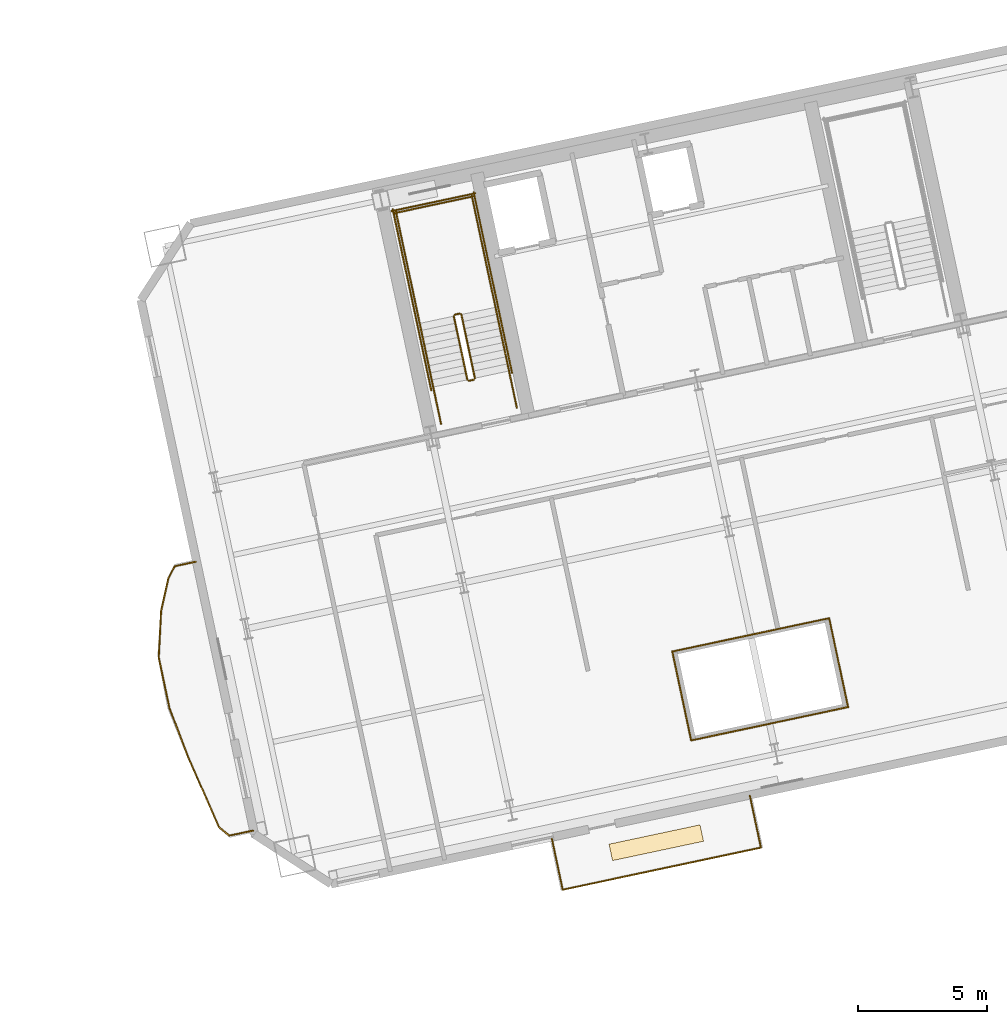
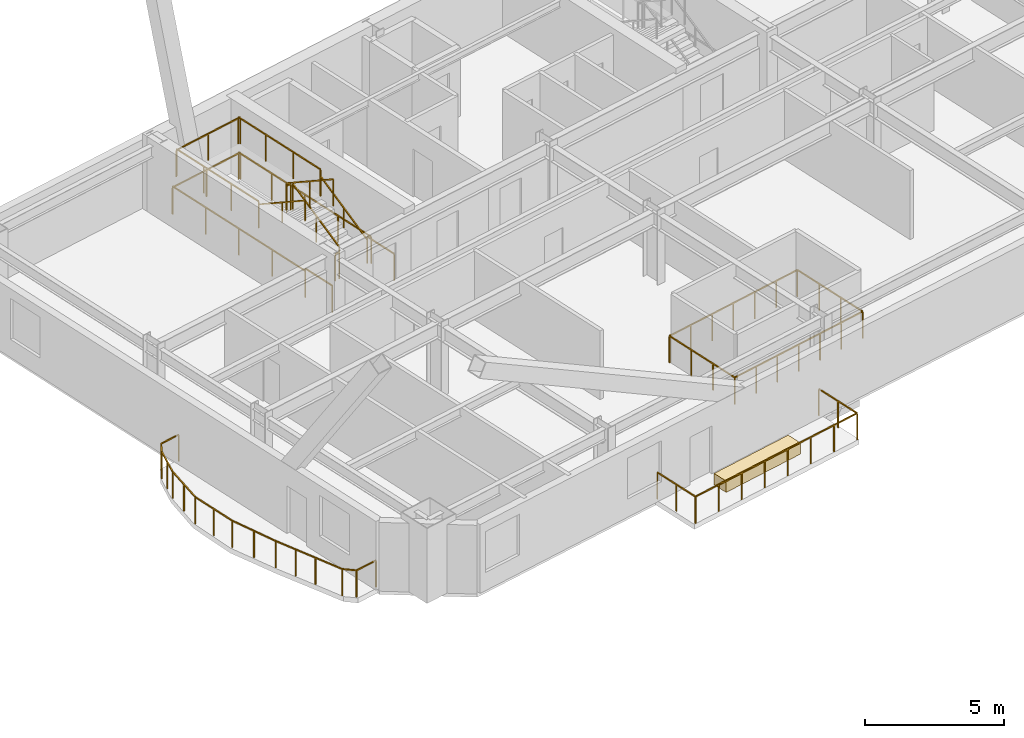
# One storey, part 14 of 15: 31 railings, 1 covering.
"""IFC4 building model written with IfcOpenShell, lengths in metres."""

from ifc_helpers import new_model, si_unit, direction, frame, origin, origin_2d, place, context, subcontext, project, spatial, rectangle, extrude, material, layer, layer_set, type_object, element, save


model = new_model("IFC4")

# Units and contexts
model_context = context("Model", 3, precision=1e-05, world=origin(), true_north=direction((0.0, 1.0)))
body_context = subcontext(model_context, "Body", "Model", "MODEL_VIEW")
ifc_project = project(units=[si_unit("LENGTHUNIT", "METRE"), si_unit("AREAUNIT", "SQUARE_METRE"), si_unit("VOLUMEUNIT", "CUBIC_METRE"), si_unit("PLANEANGLEUNIT", "RADIAN"), si_unit("MASSUNIT", "GRAM", prefix="KILO")], contexts=[model_context])

# Site, building, storey
site_placement = place(None, origin())
site = spatial("IfcSite", under=ifc_project, at=site_placement, CompositionType="ELEMENT")
building_placement = place(site_placement, origin())
building = spatial("IfcBuilding", under=site, at=building_placement, Name="Haevon Station Towers", CompositionType="ELEMENT")
storey_placement = place(building_placement, frame((0.0, 0.0, 103.199951171875)))
storey = spatial("IfcBuildingStorey", under=building, at=storey_placement, Name="L27", CompositionType="ELEMENT", Elevation=103.199951171875)

# Railings
ifc_material_1 = material(Name="Steel S355", Category="steel")
railing_type_1 = type_object("IfcRailingType", Name="BAL-ATR1200", PredefinedType="BALUSTRADE", material=ifc_material_1)
railing_1_placement = place(storey_placement, frame((108.81591796875, 25.668212890625, 0.0)))
element("IfcRailing", 1, at=railing_1_placement, inside=storey, type_object=railing_type_1, Name="L27 Atrium Void Balustrade 1", PredefinedType="BALUSTRADE", context=body_context, shape_type="SweptSolid", body=[
    extrude(rectangle(XDim=0.048095703125, YDim=0.048095703125, at=origin_2d()), frame((0.0, 0.0, 1.17578125), z_axis=(0.97814235822, 0.207936353378, 0.0), x_axis=(-0.207936353378, 0.97814235822, 0.0)), (0.0, 0.0, 1.0), 6.208740234375),
    extrude(rectangle(XDim=0.0419921875, YDim=0.0419921875, at=origin_2d()), origin(), (0.0, 0.0, 1.0), 1.15185546875),
    extrude(rectangle(XDim=0.0419921875, YDim=0.0419921875, at=origin_2d()), frame((1.01220703125, 0.215087890625, 0.0)), (0.0, 0.0, 1.0), 1.15185546875),
    extrude(rectangle(XDim=0.0419921875, YDim=0.0419921875, at=origin_2d()), frame((2.0244140625, 0.430419921875, 0.0)), (0.0, 0.0, 1.0), 1.15185546875),
    extrude(rectangle(XDim=0.0419921875, YDim=0.0419921875, at=origin_2d()), frame((3.03662109375, 0.6455078125, 0.0)), (0.0, 0.0, 1.0), 1.15185546875),
    extrude(rectangle(XDim=0.0419921875, YDim=0.0419921875, at=origin_2d()), frame((4.048583984375, 0.860595703125, 0.0)), (0.0, 0.0, 1.0), 1.15185546875),
    extrude(rectangle(XDim=0.0419921875, YDim=0.0419921875, at=origin_2d()), frame((5.060791015625, 1.075927734375, 0.0)), (0.0, 0.0, 1.0), 1.15185546875),
    extrude(rectangle(XDim=0.0419921875, YDim=0.0419921875, at=origin_2d()), frame((6.072998046875, 1.291015625, 0.0)), (0.0, 0.0, 1.0), 1.15185546875),
])
railing_2_placement = place(storey_placement, frame((114.888916015625, 26.959228515625, 0.0)))
element("IfcRailing", 2, at=railing_2_placement, inside=storey, type_object=railing_type_1, Name="L27 Atrium Void Balustrade 2", PredefinedType="BALUSTRADE", context=body_context, shape_type="SweptSolid", body=[
    extrude(rectangle(XDim=0.048095703125, YDim=0.048095703125, at=origin_2d()), frame((0.0, 0.0, 1.17578125), z_axis=(-0.207898592019, 0.978150384878, 0.0), x_axis=(-0.978150384878, -0.207898592019, 0.0)), (0.0, 0.0, 1.0), 3.518310546875),
    extrude(rectangle(XDim=0.0419921875, YDim=0.0419921875, at=origin_2d()), origin(), (0.0, 0.0, 1.0), 1.15185546875),
    extrude(rectangle(XDim=0.0419921875, YDim=0.0419921875, at=origin_2d()), frame((-0.243896484375, 1.147216796875, 0.0)), (0.0, 0.0, 1.0), 1.15185546875),
    extrude(rectangle(XDim=0.0419921875, YDim=0.0419921875, at=origin_2d()), frame((-0.487548828125, 2.294189453125, 0.0)), (0.0, 0.0, 1.0), 1.15185546875),
    extrude(rectangle(XDim=0.0419921875, YDim=0.0419921875, at=origin_2d()), frame((-0.7314453125, 3.44140625, 0.0)), (0.0, 0.0, 1.0), 1.15185546875),
])
railing_3_placement = place(storey_placement, frame((114.157470703125, 30.400634765625, 0.0)))
element("IfcRailing", 3, at=railing_3_placement, inside=storey, type_object=railing_type_1, Name="L27 Atrium Void Balustrade 3", PredefinedType="BALUSTRADE", context=body_context, shape_type="SweptSolid", body=[
    extrude(rectangle(XDim=0.048095703125, YDim=0.048095703125, at=origin_2d()), frame((0.0, 0.0, 1.17578125), z_axis=(-0.978144058321, -0.207928355861, 0.0), x_axis=(0.207928355861, -0.978144058321, 0.0)), (0.0, 0.0, 1.0), 6.208984375),
    extrude(rectangle(XDim=0.0419921875, YDim=0.0419921875, at=origin_2d()), origin(), (0.0, 0.0, 1.0), 1.15185546875),
    extrude(rectangle(XDim=0.0419921875, YDim=0.0419921875, at=origin_2d()), frame((-1.01220703125, -0.215087890625, 0.0)), (0.0, 0.0, 1.0), 1.15185546875),
    extrude(rectangle(XDim=0.0419921875, YDim=0.0419921875, at=origin_2d()), frame((-2.0244140625, -0.430419921875, 0.0)), (0.0, 0.0, 1.0), 1.15185546875),
    extrude(rectangle(XDim=0.0419921875, YDim=0.0419921875, at=origin_2d()), frame((-3.03662109375, -0.6455078125, 0.0)), (0.0, 0.0, 1.0), 1.15185546875),
    extrude(rectangle(XDim=0.0419921875, YDim=0.0419921875, at=origin_2d()), frame((-4.048828125, -0.860595703125, 0.0)), (0.0, 0.0, 1.0), 1.15185546875),
    extrude(rectangle(XDim=0.0419921875, YDim=0.0419921875, at=origin_2d()), frame((-5.06103515625, -1.075927734375, 0.0)), (0.0, 0.0, 1.0), 1.15185546875),
    extrude(rectangle(XDim=0.0419921875, YDim=0.0419921875, at=origin_2d()), frame((-6.0732421875, -1.291015625, 0.0)), (0.0, 0.0, 1.0), 1.15185546875),
])
railing_4_placement = place(storey_placement, frame((108.084228515625, 29.109619140625, 0.0)))
element("IfcRailing", 4, at=railing_4_placement, inside=storey, type_object=railing_type_1, Name="L27 Atrium Void Balustrade 4", PredefinedType="BALUSTRADE", context=body_context, shape_type="SweptSolid", body=[
    extrude(rectangle(XDim=0.048095703125, YDim=0.048095703125, at=origin_2d()), frame((0.0, 0.0, 1.17578125), z_axis=(0.207964983384, -0.978136271532, 0.0), x_axis=(0.978136271532, 0.207964983384, 0.0)), (0.0, 0.0, 1.0), 3.518310546875),
    extrude(rectangle(XDim=0.0419921875, YDim=0.0419921875, at=origin_2d()), origin(), (0.0, 0.0, 1.0), 1.15185546875),
    extrude(rectangle(XDim=0.0419921875, YDim=0.0419921875, at=origin_2d()), frame((0.243896484375, -1.147216796875, 0.0)), (0.0, 0.0, 1.0), 1.15185546875),
    extrude(rectangle(XDim=0.0419921875, YDim=0.0419921875, at=origin_2d()), frame((0.48779296875, -2.294189453125, 0.0)), (0.0, 0.0, 1.0), 1.15185546875),
    extrude(rectangle(XDim=0.0419921875, YDim=0.0419921875, at=origin_2d()), frame((0.731689453125, -3.44140625, 0.0)), (0.0, 0.0, 1.0), 1.15185546875),
])
railing_type_2 = type_object("IfcRailingType", Name="GRD-EXT1200", PredefinedType="GUARDRAIL", material=ifc_material_1)
railing_5_placement = place(storey_placement, frame((89.638916015625, 32.588623046875, 0.0)))
element("IfcRailing", 5, at=railing_5_placement, inside=storey, type_object=railing_type_2, Name="L27 Perimeter Guardrail 1", PredefinedType="GUARDRAIL", context=body_context, shape_type="SweptSolid", body=[
    extrude(rectangle(XDim=0.048095703125, YDim=0.048095703125, at=origin_2d()), frame((0.0, 0.0, 1.17578125), z_axis=(-0.977678572445, -0.210106185017, 0.0), x_axis=(0.210106185017, -0.977678572445, 0.0)), (0.0, 0.0, 1.0), 0.837890625),
    extrude(rectangle(XDim=0.0419921875, YDim=0.0419921875, at=origin_2d()), origin(), (0.0, 0.0, 1.0), 1.15185546875),
    extrude(rectangle(XDim=0.0419921875, YDim=0.0419921875, at=origin_2d()), frame((-0.819091796875, -0.176025390625, 0.0)), (0.0, 0.0, 1.0), 1.15185546875),
])
railing_6_placement = place(storey_placement, frame((88.81982421875, 32.41259765625, 0.0)))
element("IfcRailing", 6, at=railing_6_placement, inside=storey, type_object=railing_type_2, Name="L27 Perimeter Guardrail 2", PredefinedType="GUARDRAIL", context=body_context, shape_type="SweptSolid", body=[
    extrude(rectangle(XDim=0.048095703125, YDim=0.048095703125, at=origin_2d()), frame((0.0, 0.0, 1.17578125), z_axis=(-0.466272852296, -0.884640959493, 0.0), x_axis=(0.884640959493, -0.466272852296, 0.0)), (0.0, 0.0, 1.0), 0.53515625),
    extrude(rectangle(XDim=0.0419921875, YDim=0.0419921875, at=origin_2d()), origin(), (0.0, 0.0, 1.0), 1.15185546875),
    extrude(rectangle(XDim=0.0419921875, YDim=0.0419921875, at=origin_2d()), frame((-0.24951171875, -0.473388671875, 0.0)), (0.0, 0.0, 1.0), 1.15185546875),
])
railing_7_placement = place(storey_placement, frame((88.5703125, 31.939208984375, 0.0)))
element("IfcRailing", 7, at=railing_7_placement, inside=storey, type_object=railing_type_2, Name="L27 Perimeter Guardrail 3", PredefinedType="GUARDRAIL", context=body_context, shape_type="SweptSolid", body=[
    extrude(rectangle(XDim=0.048095703125, YDim=0.048095703125, at=origin_2d()), frame((0.0, 0.0, 1.17578125), z_axis=(-0.217493077112, -0.976061863515, 0.0), x_axis=(0.976061863515, -0.217493077112, 0.0)), (0.0, 0.0, 1.0), 1.286376953125),
    extrude(rectangle(XDim=0.0419921875, YDim=0.0419921875, at=origin_2d()), origin(), (0.0, 0.0, 1.0), 1.15185546875),
    extrude(rectangle(XDim=0.0419921875, YDim=0.0419921875, at=origin_2d()), frame((-0.139892578125, -0.6279296875, 0.0)), (0.0, 0.0, 1.0), 1.15185546875),
    extrude(rectangle(XDim=0.0419921875, YDim=0.0419921875, at=origin_2d()), frame((-0.27978515625, -1.255615234375, 0.0)), (0.0, 0.0, 1.0), 1.15185546875),
])
railing_8_placement = place(storey_placement, frame((88.29052734375, 30.68359375, 0.0)))
element("IfcRailing", 8, at=railing_8_placement, inside=storey, type_object=railing_type_2, Name="L27 Perimeter Guardrail 4", PredefinedType="GUARDRAIL", context=body_context, shape_type="SweptSolid", body=[
    extrude(rectangle(XDim=0.048095703125, YDim=0.048095703125, at=origin_2d()), frame((0.0, 0.0, 1.17578125), z_axis=(-0.050564718306, -0.998720786438, 0.0), x_axis=(0.998720786438, -0.050564718306, 0.0)), (0.0, 0.0, 1.0), 1.8056640625),
    extrude(rectangle(XDim=0.0419921875, YDim=0.0419921875, at=origin_2d()), origin(), (0.0, 0.0, 1.0), 1.15185546875),
    extrude(rectangle(XDim=0.0419921875, YDim=0.0419921875, at=origin_2d()), frame((-0.045654296875, -0.90185546875, 0.0)), (0.0, 0.0, 1.0), 1.15185546875),
    extrude(rectangle(XDim=0.0419921875, YDim=0.0419921875, at=origin_2d()), frame((-0.09130859375, -1.803466796875, 0.0)), (0.0, 0.0, 1.0), 1.15185546875),
])
railing_9_placement = place(storey_placement, frame((88.19921875, 28.880126953125, 0.0)))
element("IfcRailing", 9, at=railing_9_placement, inside=storey, type_object=railing_type_2, Name="L27 Perimeter Guardrail 5", PredefinedType="GUARDRAIL", context=body_context, shape_type="SweptSolid", body=[
    extrude(rectangle(XDim=0.048095703125, YDim=0.048095703125, at=origin_2d()), frame((0.0, 0.0, 1.17578125), z_axis=(0.207053251412, -0.978329674026, 0.0), x_axis=(0.978329674026, 0.207053251412, 0.0)), (0.0, 0.0, 1.0), 1.993896484375),
    extrude(rectangle(XDim=0.0419921875, YDim=0.0419921875, at=origin_2d()), origin(), (0.0, 0.0, 1.0), 1.15185546875),
    extrude(rectangle(XDim=0.0419921875, YDim=0.0419921875, at=origin_2d()), frame((0.20654296875, -0.975341796875, 0.0)), (0.0, 0.0, 1.0), 1.15185546875),
    extrude(rectangle(XDim=0.0419921875, YDim=0.0419921875, at=origin_2d()), frame((0.412841796875, -1.95068359375, 0.0)), (0.0, 0.0, 1.0), 1.15185546875),
])
railing_10_placement = place(storey_placement, frame((88.612060546875, 26.929443359375, 0.0)))
element("IfcRailing", 10, at=railing_10_placement, inside=storey, type_object=railing_type_2, Name="L27 Perimeter Guardrail 6", PredefinedType="GUARDRAIL", context=body_context, shape_type="SweptSolid", body=[
    extrude(rectangle(XDim=0.048095703125, YDim=0.048095703125, at=origin_2d()), frame((0.0, 0.0, 1.17578125), z_axis=(0.355410532133, -0.934710304666, 0.0), x_axis=(0.934710304666, 0.355410532133, 0.0)), (0.0, 0.0, 1.0), 2.01416015625),
    extrude(rectangle(XDim=0.0419921875, YDim=0.0419921875, at=origin_2d()), origin(), (0.0, 0.0, 1.0), 1.15185546875),
    extrude(rectangle(XDim=0.0419921875, YDim=0.0419921875, at=origin_2d()), frame((0.35791015625, -0.94140625, 0.0)), (0.0, 0.0, 1.0), 1.15185546875),
    extrude(rectangle(XDim=0.0419921875, YDim=0.0419921875, at=origin_2d()), frame((0.7158203125, -1.882568359375, 0.0)), (0.0, 0.0, 1.0), 1.15185546875),
])
railing_11_placement = place(storey_placement, frame((89.327880859375, 25.046875, 0.0)))
element("IfcRailing", 11, at=railing_11_placement, inside=storey, type_object=railing_type_2, Name="L27 Perimeter Guardrail 7", PredefinedType="GUARDRAIL", context=body_context, shape_type="SweptSolid", body=[
    extrude(rectangle(XDim=0.048095703125, YDim=0.048095703125, at=origin_2d()), frame((0.0, 0.0, 1.17578125), z_axis=(0.402646975362, -0.915355348065, 0.0), x_axis=(0.915355348065, 0.402646975362, 0.0)), (0.0, 0.0, 1.0), 1.78564453125),
    extrude(rectangle(XDim=0.0419921875, YDim=0.0419921875, at=origin_2d()), origin(), (0.0, 0.0, 1.0), 1.15185546875),
    extrude(rectangle(XDim=0.0419921875, YDim=0.0419921875, at=origin_2d()), frame((0.359375, -0.8173828125, 0.0)), (0.0, 0.0, 1.0), 1.15185546875),
    extrude(rectangle(XDim=0.0419921875, YDim=0.0419921875, at=origin_2d()), frame((0.718994140625, -1.634521484375, 0.0)), (0.0, 0.0, 1.0), 1.15185546875),
])
railing_12_placement = place(storey_placement, frame((90.046875, 23.412353515625, 0.0)))
element("IfcRailing", 12, at=railing_12_placement, inside=storey, type_object=railing_type_2, Name="L27 Perimeter Guardrail 8", PredefinedType="GUARDRAIL", context=body_context, shape_type="SweptSolid", body=[
    extrude(rectangle(XDim=0.048095703125, YDim=0.048095703125, at=origin_2d()), frame((0.0, 0.0, 1.17578125), z_axis=(0.401375961406, -0.915913389795, 0.0), x_axis=(0.915913389795, 0.401375961406, 0.0)), (0.0, 0.0, 1.0), 1.1953125),
    extrude(rectangle(XDim=0.0419921875, YDim=0.0419921875, at=origin_2d()), origin(), (0.0, 0.0, 1.0), 1.15185546875),
    extrude(rectangle(XDim=0.0419921875, YDim=0.0419921875, at=origin_2d()), frame((0.479736328125, -1.0947265625, 0.0)), (0.0, 0.0, 1.0), 1.15185546875),
])
railing_13_placement = place(storey_placement, frame((90.526611328125, 22.317626953125, 0.0)))
element("IfcRailing", 13, at=railing_13_placement, inside=storey, type_object=railing_type_2, Name="L27 Perimeter Guardrail 9", PredefinedType="GUARDRAIL", context=body_context, shape_type="SweptSolid", body=[
    extrude(rectangle(XDim=0.048095703125, YDim=0.048095703125, at=origin_2d()), frame((0.0, 0.0, 1.17578125), z_axis=(0.768565415334, -0.639771210943, 0.0), x_axis=(0.639771210943, 0.768565415334, 0.0)), (0.0, 0.0, 1.0), 0.523193359375),
    extrude(rectangle(XDim=0.0419921875, YDim=0.0419921875, at=origin_2d()), origin(), (0.0, 0.0, 1.0), 1.15185546875),
    extrude(rectangle(XDim=0.0419921875, YDim=0.0419921875, at=origin_2d()), frame((0.402099609375, -0.334716796875, 0.0)), (0.0, 0.0, 1.0), 1.15185546875),
])
railing_14_placement = place(storey_placement, frame((90.9287109375, 21.98291015625, 0.0)))
element("IfcRailing", 14, at=railing_14_placement, inside=storey, type_object=railing_type_2, Name="L27 Perimeter Guardrail 10", PredefinedType="GUARDRAIL", context=body_context, shape_type="SweptSolid", body=[
    extrude(rectangle(XDim=0.048095703125, YDim=0.048095703125, at=origin_2d()), frame((0.0, 0.0, 1.17578125), z_axis=(0.978612883571, 0.205710534754, 0.0), x_axis=(-0.205710534754, 0.978612883571, 0.0)), (0.0, 0.0, 1.0), 0.943603515625),
    extrude(rectangle(XDim=0.0419921875, YDim=0.0419921875, at=origin_2d()), origin(), (0.0, 0.0, 1.0), 1.15185546875),
    extrude(rectangle(XDim=0.0419921875, YDim=0.0419921875, at=origin_2d()), frame((0.92333984375, 0.194091796875, 0.0)), (0.0, 0.0, 1.0), 1.15185546875),
])
railing_15_placement = place(storey_placement, frame((103.8408203125, 19.886962890625, 0.0)))
element("IfcRailing", 15, at=railing_15_placement, inside=storey, type_object=railing_type_2, Name="L27 Perimeter Guardrail 1", PredefinedType="GUARDRAIL", context=body_context, shape_type="SweptSolid", body=[
    extrude(rectangle(XDim=0.048095703125, YDim=0.048095703125, at=origin_2d()), frame((0.0, 0.0, 1.17578125), z_axis=(0.978148093399, 0.207909372996, 0.0), x_axis=(-0.207909372996, 0.978148093399, 0.0)), (0.0, 0.0, 1.0), 7.84521484375),
    extrude(rectangle(XDim=0.0419921875, YDim=0.0419921875, at=origin_2d()), origin(), (0.0, 0.0, 1.0), 1.15185546875),
    extrude(rectangle(XDim=0.0419921875, YDim=0.0419921875, at=origin_2d()), frame((1.09619140625, 0.23291015625, 0.0)), (0.0, 0.0, 1.0), 1.15185546875),
    extrude(rectangle(XDim=0.0419921875, YDim=0.0419921875, at=origin_2d()), frame((2.192626953125, 0.466064453125, 0.0)), (0.0, 0.0, 1.0), 1.15185546875),
    extrude(rectangle(XDim=0.0419921875, YDim=0.0419921875, at=origin_2d()), frame((3.288818359375, 0.698974609375, 0.0)), (0.0, 0.0, 1.0), 1.15185546875),
    extrude(rectangle(XDim=0.0419921875, YDim=0.0419921875, at=origin_2d()), frame((4.385009765625, 0.93212890625, 0.0)), (0.0, 0.0, 1.0), 1.15185546875),
    extrude(rectangle(XDim=0.0419921875, YDim=0.0419921875, at=origin_2d()), frame((5.481201171875, 1.1650390625, 0.0)), (0.0, 0.0, 1.0), 1.15185546875),
    extrude(rectangle(XDim=0.0419921875, YDim=0.0419921875, at=origin_2d()), frame((6.57763671875, 1.398193359375, 0.0)), (0.0, 0.0, 1.0), 1.15185546875),
    extrude(rectangle(XDim=0.0419921875, YDim=0.0419921875, at=origin_2d()), frame((7.673828125, 1.631103515625, 0.0)), (0.0, 0.0, 1.0), 1.15185546875),
])
railing_16_placement = place(storey_placement, frame((111.5146484375, 21.51806640625, 0.0)))
element("IfcRailing", 16, at=railing_16_placement, inside=storey, type_object=railing_type_2, Name="L27 Perimeter Guardrail 2", PredefinedType="GUARDRAIL", context=body_context, shape_type="SweptSolid", body=[
    extrude(rectangle(XDim=0.048095703125, YDim=0.048095703125, at=origin_2d()), frame((0.0, 0.0, 1.17578125), z_axis=(-0.207848806692, 0.978160965055, 0.0), x_axis=(-0.978160965055, -0.207848806692, 0.0)), (0.0, 0.0, 1.0), 2.054443359375),
    extrude(rectangle(XDim=0.0419921875, YDim=0.0419921875, at=origin_2d()), origin(), (0.0, 0.0, 1.0), 1.15185546875),
    extrude(rectangle(XDim=0.0419921875, YDim=0.0419921875, at=origin_2d()), frame((-0.21337890625, 1.0048828125, 0.0)), (0.0, 0.0, 1.0), 1.15185546875),
    extrude(rectangle(XDim=0.0419921875, YDim=0.0419921875, at=origin_2d()), frame((-0.427001953125, 2.009521484375, 0.0)), (0.0, 0.0, 1.0), 1.15185546875),
])
railing_17_placement = place(storey_placement, frame((103.413818359375, 21.896484375, 0.0)))
element("IfcRailing", 17, at=railing_17_placement, inside=storey, type_object=railing_type_2, Name="L27 Perimeter Guardrail 3", PredefinedType="GUARDRAIL", context=body_context, shape_type="SweptSolid", body=[
    extrude(rectangle(XDim=0.048095703125, YDim=0.048095703125, at=origin_2d()), frame((0.0, 0.0, 1.17578125), z_axis=(0.207848806692, -0.978160965055, 0.0), x_axis=(0.978160965055, 0.207848806692, 0.0)), (0.0, 0.0, 1.0), 2.054443359375),
    extrude(rectangle(XDim=0.0419921875, YDim=0.0419921875, at=origin_2d()), origin(), (0.0, 0.0, 1.0), 1.15185546875),
    extrude(rectangle(XDim=0.0419921875, YDim=0.0419921875, at=origin_2d()), frame((0.21337890625, -1.0048828125, 0.0)), (0.0, 0.0, 1.0), 1.15185546875),
    extrude(rectangle(XDim=0.0419921875, YDim=0.0419921875, at=origin_2d()), frame((0.427001953125, -2.009521484375, 0.0)), (0.0, 0.0, 1.0), 1.15185546875),
])
railing_type_3 = type_object("IfcRailingType", Name="GRD-STR1200", PredefinedType="GUARDRAIL", material=ifc_material_1)
railing_18_placement = place(storey_placement, frame((100.44140625, 39.69287109375, 0.1650390625)))
element("IfcRailing", 18, at=railing_18_placement, inside=storey, type_object=railing_type_3, Name="L27 ST3 Stair Guard 1", PredefinedType="GUARDRAIL", context=body_context, shape_type="SweptSolid", body=[
    extrude(rectangle(XDim=0.048095703125, YDim=0.048095703125, at=origin_2d()), frame((0.0, 0.0, 1.17578125), z_axis=(-0.179121265225, 0.842687928106, 0.507732831485), x_axis=(-0.978147030254, -0.207914374695, 0.0)), (0.0, 0.0, 1.0), 2.925048828125),
    extrude(rectangle(XDim=0.0419921875, YDim=0.0419921875, at=origin_2d()), origin(), (0.0, 0.0, 1.0), 1.15185546875),
    extrude(rectangle(XDim=0.0419921875, YDim=0.0419921875, at=origin_2d()), frame((-0.261962890625, 1.232421875, 0.74267578125)), (0.0, 0.0, 1.0), 1.15185546875),
    extrude(rectangle(XDim=0.0419921875, YDim=0.0419921875, at=origin_2d()), frame((-0.52392578125, 2.46484375, 1.485107421875)), (0.0, 0.0, 1.0), 1.15185546875),
])
railing_19_placement = place(storey_placement, frame((99.858154296875, 42.1962890625, 1.650146484375)))
element("IfcRailing", 19, at=railing_19_placement, inside=storey, type_object=railing_type_3, Name="L27 ST3 Stair Guard 2", PredefinedType="GUARDRAIL", context=body_context, shape_type="SweptSolid", body=[
    extrude(rectangle(XDim=0.048095703125, YDim=0.048095703125, at=origin_2d()), frame((0.0, 0.0, 1.17578125), z_axis=(-0.977962931203, -0.208778603291, 0.0), x_axis=(0.208778603291, -0.977962931203, 0.0)), (0.0, 0.0, 1.0), 0.199951171875),
    extrude(rectangle(XDim=0.0419921875, YDim=0.0419921875, at=origin_2d()), origin(), (0.0, 0.0, 1.0), 1.15185546875),
    extrude(rectangle(XDim=0.0419921875, YDim=0.0419921875, at=origin_2d()), frame((-0.195556640625, -0.041748046875, 0.0)), (0.0, 0.0, 1.0), 1.15185546875),
])
railing_20_placement = place(storey_placement, frame((101.238037109375, 42.4384765625, 1.650146484375)))
element("IfcRailing", 20, at=railing_20_placement, inside=storey, type_object=railing_type_3, Name="L27 ST3 Stair Guard 3", PredefinedType="GUARDRAIL", context=body_context, shape_type="SweptSolid", body=[
    extrude(rectangle(XDim=0.048095703125, YDim=0.048095703125, at=origin_2d()), frame((0.0, 0.0, 1.17578125), z_axis=(-0.20794048909, 0.978141479029, 0.0), x_axis=(-0.978141479029, -0.20794048909, 0.0)), (0.0, 0.0, 1.0), 4.429931640625),
    extrude(rectangle(XDim=0.0419921875, YDim=0.0419921875, at=origin_2d()), origin(), (0.0, 0.0, 1.0), 1.15185546875),
    extrude(rectangle(XDim=0.0419921875, YDim=0.0419921875, at=origin_2d()), frame((-0.30712890625, 1.4443359375, 0.0)), (0.0, 0.0, 1.0), 1.15185546875),
    extrude(rectangle(XDim=0.0419921875, YDim=0.0419921875, at=origin_2d()), frame((-0.614013671875, 2.888671875, 0.0)), (0.0, 0.0, 1.0), 1.15185546875),
    extrude(rectangle(XDim=0.0419921875, YDim=0.0419921875, at=origin_2d()), frame((-0.921142578125, 4.3330078125, 0.0)), (0.0, 0.0, 1.0), 1.15185546875),
])
railing_21_placement = place(storey_placement, frame((98.303466796875, 41.814697265625, 1.650146484375)))
element("IfcRailing", 21, at=railing_21_placement, inside=storey, type_object=railing_type_3, Name="L27 ST3 Stair Guard 4", PredefinedType="GUARDRAIL", context=body_context, shape_type="SweptSolid", body=[
    extrude(rectangle(XDim=0.048095703125, YDim=0.048095703125, at=origin_2d()), frame((0.0, 0.0, 1.17578125), z_axis=(-0.207876551949, 0.978155069071, 0.0), x_axis=(-0.978155069071, -0.207876551949, 0.0)), (0.0, 0.0, 1.0), 4.429931640625),
    extrude(rectangle(XDim=0.0419921875, YDim=0.0419921875, at=origin_2d()), origin(), (0.0, 0.0, 1.0), 1.15185546875),
    extrude(rectangle(XDim=0.0419921875, YDim=0.0419921875, at=origin_2d()), frame((-0.306884765625, 1.4443359375, 0.0)), (0.0, 0.0, 1.0), 1.15185546875),
    extrude(rectangle(XDim=0.0419921875, YDim=0.0419921875, at=origin_2d()), frame((-0.614013671875, 2.888916015625, 0.0)), (0.0, 0.0, 1.0), 1.15185546875),
    extrude(rectangle(XDim=0.0419921875, YDim=0.0419921875, at=origin_2d()), frame((-0.9208984375, 4.333251953125, 0.0)), (0.0, 0.0, 1.0), 1.15185546875),
])
railing_22_placement = place(storey_placement, frame((100.376220703125, 46.733154296875, 1.650146484375)))
element("IfcRailing", 22, at=railing_22_placement, inside=storey, type_object=railing_type_3, Name="L27 ST3 Stair Guard 5", PredefinedType="GUARDRAIL", context=body_context, shape_type="SweptSolid", body=[
    extrude(rectangle(XDim=0.048095703125, YDim=0.048095703125, at=origin_2d()), frame((0.0, 0.0, 1.17578125), z_axis=(-0.978146839882, -0.207915270313, 0.0), x_axis=(0.207915270313, -0.978146839882, 0.0)), (0.0, 0.0, 1.0), 3.099853515625),
    extrude(rectangle(XDim=0.0419921875, YDim=0.0419921875, at=origin_2d()), origin(), (0.0, 0.0, 1.0), 1.15185546875),
    extrude(rectangle(XDim=0.0419921875, YDim=0.0419921875, at=origin_2d()), frame((-1.51611328125, -0.322265625, 0.0)), (0.0, 0.0, 1.0), 1.15185546875),
    extrude(rectangle(XDim=0.0419921875, YDim=0.0419921875, at=origin_2d()), frame((-3.0322265625, -0.64453125, 0.0)), (0.0, 0.0, 1.0), 1.15185546875),
])
railing_23_placement = place(storey_placement, frame((99.6240234375, 42.09521484375, 1.81494140625)))
element("IfcRailing", 23, at=railing_23_placement, inside=storey, type_object=railing_type_3, Name="L27 ST3 Stair Guard 6", PredefinedType="GUARDRAIL", context=body_context, shape_type="SweptSolid", body=[
    extrude(rectangle(XDim=0.048095703125, YDim=0.048095703125, at=origin_2d()), frame((0.0, 0.0, 1.17578125), z_axis=(0.179121265225, -0.842687928106, 0.507732831485), x_axis=(0.978147030254, 0.207914374695, 0.0)), (0.0, 0.0, 1.0), 2.925048828125),
    extrude(rectangle(XDim=0.0419921875, YDim=0.0419921875, at=origin_2d()), origin(), (0.0, 0.0, 1.0), 1.15185546875),
    extrude(rectangle(XDim=0.0419921875, YDim=0.0419921875, at=origin_2d()), frame((0.261962890625, -1.232421875, 0.74267578125)), (0.0, 0.0, 1.0), 1.15185546875),
    extrude(rectangle(XDim=0.0419921875, YDim=0.0419921875, at=origin_2d()), frame((0.52392578125, -2.46484375, 1.485107421875)), (0.0, 0.0, 1.0), 1.15185546875),
])
railing_24_placement = place(storey_placement, frame((100.40283203125, 39.633544921875, 0.0)))
element("IfcRailing", 24, at=railing_24_placement, inside=storey, type_object=railing_type_3, Name="L27 ST3 Stair Guard 7", PredefinedType="GUARDRAIL", context=body_context, shape_type="SweptSolid", body=[
    extrude(rectangle(XDim=0.048095703125, YDim=0.048095703125, at=origin_2d()), frame((0.0, 0.0, 1.17578125), z_axis=(-0.977962931203, -0.208778603291, 0.0), x_axis=(0.208778603291, -0.977962931203, 0.0)), (0.0, 0.0, 1.0), 0.199951171875),
    extrude(rectangle(XDim=0.0419921875, YDim=0.0419921875, at=origin_2d()), origin(), (0.0, 0.0, 1.0), 1.15185546875),
    extrude(rectangle(XDim=0.0419921875, YDim=0.0419921875, at=origin_2d()), frame((-0.195556640625, -0.041748046875, 0.0)), (0.0, 0.0, 1.0), 1.15185546875),
])
for number, where, name in (
    (25, (102.0634765625, 38.55517578125, 0.0), "L27 ST3 Stair Guard 8"),
    (26, (99.12890625, 37.931396484375, 0.0), "L27 ST3 Stair Guard 9"),
):
    element("IfcRailing", number, at=place(storey_placement, frame(where)), inside=storey, type_object=railing_type_3, Name=name, PredefinedType="GUARDRAIL", context=body_context, shape_type="SweptSolid", body=[
        extrude(rectangle(XDim=0.048095703125, YDim=0.048095703125, at=origin_2d()), frame((0.0, 0.0, 1.17578125), z_axis=(-0.207953405961, 0.978138732977, 0.0), x_axis=(-0.978138732977, -0.207953405961, 0.0)), (0.0, 0.0, 1.0), 1.449951171875),
        extrude(rectangle(XDim=0.0419921875, YDim=0.0419921875, at=origin_2d()), origin(), (0.0, 0.0, 1.0), 1.15185546875),
        extrude(rectangle(XDim=0.0419921875, YDim=0.0419921875, at=origin_2d()), frame((-0.301513671875, 1.418212890625, 0.0)), (0.0, 0.0, 1.0), 1.15185546875),
    ])
railing_25_placement = place(storey_placement, frame((101.88037109375, 39.896484375, 0.0)))
element("IfcRailing", 27, at=railing_25_placement, inside=storey, type_object=railing_type_3, Name="L27 ST3 Stair Guard 10", PredefinedType="GUARDRAIL", context=body_context, shape_type="SweptSolid", body=[
    extrude(rectangle(XDim=0.048095703125, YDim=0.048095703125, at=origin_2d()), frame((0.0, 0.0, 1.17578125), z_axis=(-0.207882442208, 0.978153817261, 0.0), x_axis=(-0.978153817261, -0.207882442208, 0.0)), (0.0, 0.0, 1.0), 7.14990234375),
    extrude(rectangle(XDim=0.0419921875, YDim=0.0419921875, at=origin_2d()), origin(), (0.0, 0.0, 1.0), 1.15185546875),
    extrude(rectangle(XDim=0.0419921875, YDim=0.0419921875, at=origin_2d()), frame((-0.37158203125, 1.74853515625, 0.0)), (0.0, 0.0, 1.0), 1.15185546875),
    extrude(rectangle(XDim=0.0419921875, YDim=0.0419921875, at=origin_2d()), frame((-0.7431640625, 3.496826171875, 0.0)), (0.0, 0.0, 1.0), 1.15185546875),
    extrude(rectangle(XDim=0.0419921875, YDim=0.0419921875, at=origin_2d()), frame((-1.11474609375, 5.2451171875, 0.0)), (0.0, 0.0, 1.0), 1.15185546875),
    extrude(rectangle(XDim=0.0419921875, YDim=0.0419921875, at=origin_2d()), frame((-1.486328125, 6.99365234375, 0.0)), (0.0, 0.0, 1.0), 1.15185546875),
])
railing_26_placement = place(storey_placement, frame((98.75048828125, 39.231201171875, 0.0)))
element("IfcRailing", 28, at=railing_26_placement, inside=storey, type_object=railing_type_3, Name="L27 ST3 Stair Guard 11", PredefinedType="GUARDRAIL", context=body_context, shape_type="SweptSolid", body=[
    extrude(rectangle(XDim=0.048095703125, YDim=0.048095703125, at=origin_2d()), frame((0.0, 0.0, 1.17578125), z_axis=(-0.207915112487, 0.978146873429, 0.0), x_axis=(-0.978146873429, -0.207915112487, 0.0)), (0.0, 0.0, 1.0), 7.14990234375),
    extrude(rectangle(XDim=0.0419921875, YDim=0.0419921875, at=origin_2d()), origin(), (0.0, 0.0, 1.0), 1.15185546875),
    extrude(rectangle(XDim=0.0419921875, YDim=0.0419921875, at=origin_2d()), frame((-0.37158203125, 1.74853515625, 0.0)), (0.0, 0.0, 1.0), 1.15185546875),
    extrude(rectangle(XDim=0.0419921875, YDim=0.0419921875, at=origin_2d()), frame((-0.7431640625, 3.496826171875, 0.0)), (0.0, 0.0, 1.0), 1.15185546875),
    extrude(rectangle(XDim=0.0419921875, YDim=0.0419921875, at=origin_2d()), frame((-1.114990234375, 5.2451171875, 0.0)), (0.0, 0.0, 1.0), 1.15185546875),
    extrude(rectangle(XDim=0.0419921875, YDim=0.0419921875, at=origin_2d()), frame((-1.486572265625, 6.99365234375, 0.0)), (0.0, 0.0, 1.0), 1.15185546875),
])
railing_27_placement = place(storey_placement, frame((100.453125, 46.8515625, 0.0)))
element("IfcRailing", 29, at=railing_27_placement, inside=storey, type_object=railing_type_3, Name="L27 ST3 Stair Guard 12", PredefinedType="GUARDRAIL", context=body_context, shape_type="SweptSolid", body=[
    extrude(rectangle(XDim=0.048095703125, YDim=0.048095703125, at=origin_2d()), frame((0.0, 0.0, 1.17578125), z_axis=(-0.978150764849, -0.207896804268, 0.0), x_axis=(0.207896804268, -0.978150764849, 0.0)), (0.0, 0.0, 1.0), 3.2998046875),
    extrude(rectangle(XDim=0.0419921875, YDim=0.0419921875, at=origin_2d()), origin(), (0.0, 0.0, 1.0), 1.15185546875),
    extrude(rectangle(XDim=0.0419921875, YDim=0.0419921875, at=origin_2d()), frame((-1.61376953125, -0.343017578125, 0.0)), (0.0, 0.0, 1.0), 1.15185546875),
    extrude(rectangle(XDim=0.0419921875, YDim=0.0419921875, at=origin_2d()), frame((-3.227783203125, -0.68603515625, 0.0)), (0.0, 0.0, 1.0), 1.15185546875),
])
railing_type_4 = type_object("IfcRailingType", Name="HND-STR900", PredefinedType="HANDRAIL", material=ifc_material_1)
railing_28_placement = place(storey_placement, frame((101.761962890625, 39.973388671875, 0.1650390625)))
element("IfcRailing", 30, at=railing_28_placement, inside=storey, type_object=railing_type_4, Name="L27 ST3 Stair Handrail 1", PredefinedType="HANDRAIL", context=body_context, shape_type="SweptSolid", body=[
    extrude(rectangle(XDim=0.048095703125, YDim=0.048095703125, at=origin_2d()), frame((0.0, 0.0, 0.8759765625), z_axis=(-0.179108667068, 0.842712120868, 0.50769712105), x_axis=(-0.978151217824, -0.207894673017, 0.0)), (0.0, 0.0, 1.0), 2.92529296875),
    extrude(rectangle(XDim=0.0419921875, YDim=0.0419921875, at=origin_2d()), origin(), (0.0, 0.0, 1.0), 0.851806640625),
    extrude(rectangle(XDim=0.0419921875, YDim=0.0419921875, at=origin_2d()), frame((-0.261962890625, 1.232421875, 0.74267578125)), (0.0, 0.0, 1.0), 0.851806640625),
    extrude(rectangle(XDim=0.0419921875, YDim=0.0419921875, at=origin_2d()), frame((-0.52392578125, 2.465087890625, 1.485107421875)), (0.0, 0.0, 1.0), 0.851806640625),
])
railing_29_placement = place(storey_placement, frame((98.303466796875, 41.814697265625, 1.81494140625)))
element("IfcRailing", 31, at=railing_29_placement, inside=storey, type_object=railing_type_4, Name="L27 ST3 Stair Handrail 2", PredefinedType="HANDRAIL", context=body_context, shape_type="SweptSolid", body=[
    extrude(rectangle(XDim=0.048095703125, YDim=0.048095703125, at=origin_2d()), frame((0.0, 0.0, 0.8759765625), z_axis=(0.179108667068, -0.842712120868, 0.50769712105), x_axis=(0.978151217824, 0.207894673017, 0.0)), (0.0, 0.0, 1.0), 2.92529296875),
    extrude(rectangle(XDim=0.0419921875, YDim=0.0419921875, at=origin_2d()), origin(), (0.0, 0.0, 1.0), 0.851806640625),
    extrude(rectangle(XDim=0.0419921875, YDim=0.0419921875, at=origin_2d()), frame((0.261962890625, -1.232421875, 0.74267578125)), (0.0, 0.0, 1.0), 0.851806640625),
    extrude(rectangle(XDim=0.0419921875, YDim=0.0419921875, at=origin_2d()), frame((0.52392578125, -2.465087890625, 1.485107421875)), (0.0, 0.0, 1.0), 0.851806640625),
])

# Covering
ifc_material_2 = material(Name="Architectural planter GRC", Category="concrete")
ifc_layer = layer(ifc_material_2, 0.550048828125)
ifc_layer_set = layer_set([ifc_layer], Name="Architectural planter GRC")
covering_type = type_object("IfcCoveringType", Name="PLN-GRC550", PredefinedType="MOLDING", material=ifc_layer_set)
covering_placement = place(storey_placement, frame((107.464111328125, 21.707275390625, 0.0), z_axis=(0.0, 0.0, 1.0), x_axis=(0.978147600734, 0.207911690818, 0.0)))
element("IfcCovering", 32, at=covering_placement, inside=storey, type_object=covering_type, Name="Tower 2 L27 Facade Trough PLANTER", PredefinedType="MOLDING", context=body_context, shape_type="SweptSolid", body=[
    extrude(rectangle(XDim=3.60009765625, YDim=0.64990234375, at=origin_2d()), origin(), (0.0, 0.0, 1.0), 0.5),
])

save(model, "model.ifc")
